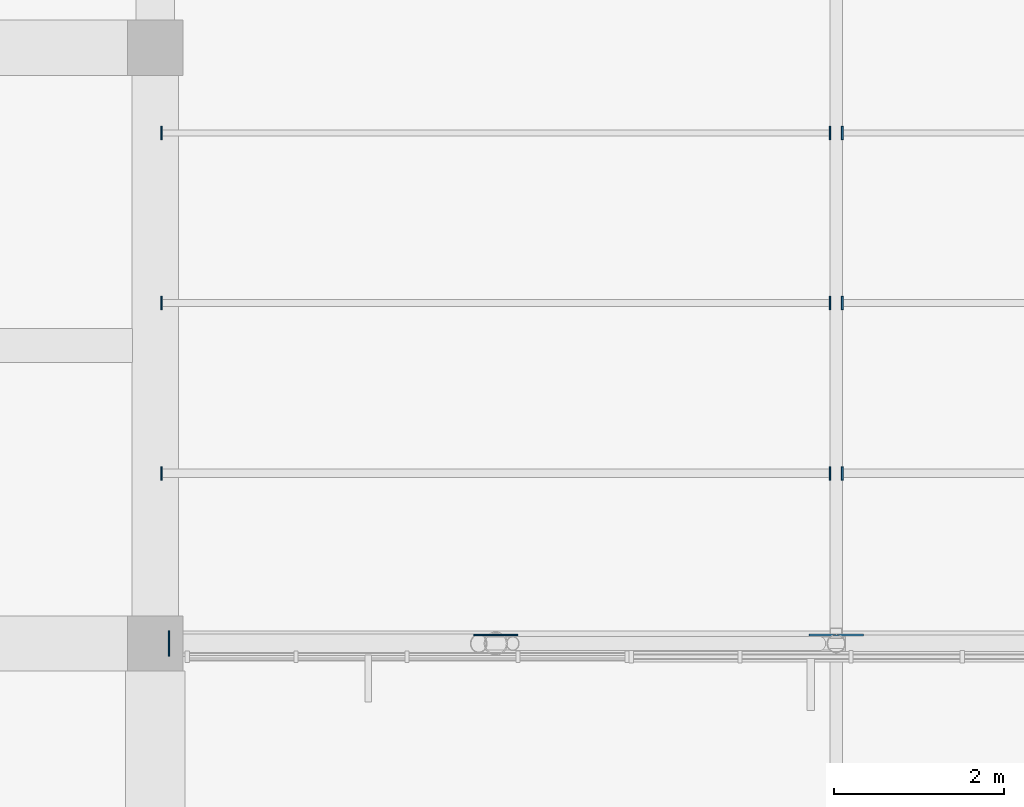
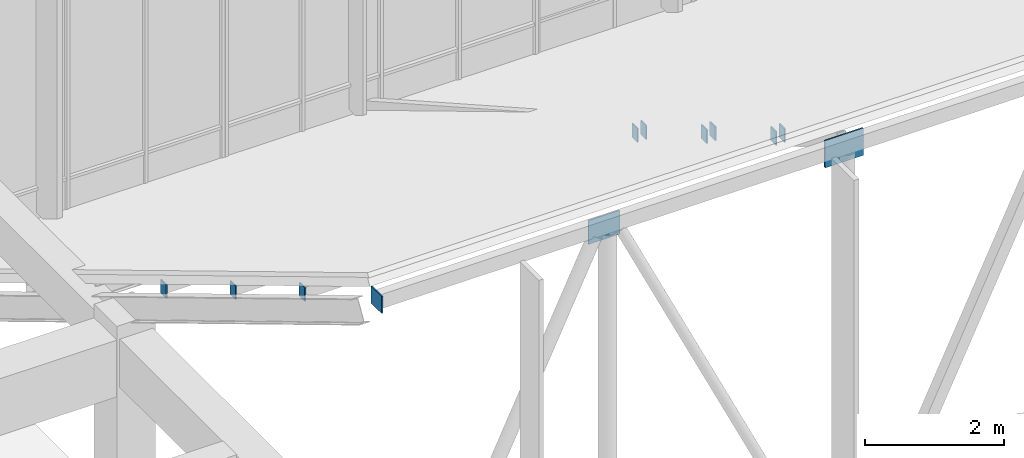
# One storey, part 93 of 155: 12 plates.
"""IFC4 building model written with IfcOpenShell, lengths in metres."""

from ifc_helpers import new_model, si_unit, direction, frame, origin, origin_2d, place, context, subcontext, project, spatial, rectangle, extrude, material, layer, layer_set, type_object, element, save


model = new_model("IFC4")

# Units and contexts
model_context = context("Model", 3, precision=1e-05, world=origin(), true_north=direction((0.0, 1.0)))
body_context = subcontext(model_context, "Body", "Model", "MODEL_VIEW")
ifc_project = project(units=[si_unit("LENGTHUNIT", "METRE"), si_unit("AREAUNIT", "SQUARE_METRE"), si_unit("VOLUMEUNIT", "CUBIC_METRE"), si_unit("PLANEANGLEUNIT", "RADIAN"), si_unit("MASSUNIT", "GRAM", prefix="KILO")], contexts=[model_context])

# Site, building, storey
site_placement = place(None, origin())
site = spatial("IfcSite", under=ifc_project, at=site_placement, CompositionType="ELEMENT")
building_placement = place(site_placement, origin())
building = spatial("IfcBuilding", under=site, at=building_placement, Name="Larkveld Mobility Hub", CompositionType="ELEMENT")
storey_placement = place(building_placement, frame((0.0, 0.0, 8.39990234375)))
storey = spatial("IfcBuildingStorey", under=building, at=storey_placement, Name="L02", CompositionType="ELEMENT", Elevation=8.39990234375)

# Plates
ifc_material = material(Name="Steel S355JR", Category="steel")
ifc_layer_1 = layer(ifc_material, 0.02001953125, Name="Steel S355JR", Category="steel")
ifc_layer_set_1 = layer_set([ifc_layer_1], Name="Steel S355JR")
plate_type_1 = type_object("IfcPlateType", Name="PT-EC01", PredefinedType="USERDEFINED", material=ifc_layer_set_1)
plate_1_placement = place(storey_placement, frame((152.159912109375, 84.0, 7.80029296875), z_axis=(0.0, 0.0, 1.0), x_axis=(1.0, 0.0, 0.0)))
element("IfcPlate", 1, at=plate_1_placement, inside=storey, type_object=plate_type_1, Name="Hollow Chord End Cap Plate EC-044", ObjectType="GUSSET PLATE", PredefinedType="USERDEFINED", context=body_context, shape_type="SweptSolid", body=[
    extrude(rectangle(XDim=0.02001953125, YDim=0.300048828125, at=origin_2d()), origin(), (0.0, 0.0, 1.0), 0.300048828125),
])
ifc_layer_2 = layer(ifc_material, 0.02001953125, Name="Steel S355JR", Category="steel")
ifc_layer_set_2 = layer_set([ifc_layer_2], Name="Steel S355JR")
plate_type_2 = type_object("IfcPlateType", Name="PT-EC02", PredefinedType="USERDEFINED", material=ifc_layer_set_2)
for number, where, z_axis, x_axis, name in (
    (2, (152.072021484375, 86.0, 6.787109375), (0.0, 0.0, 1.0), (1.0, 0.0, 0.0), "Hollow Purlin End Cap Plate PEC-176"),
    (3, (159.927978515625, 86.0, 6.787109375), (0.0, 0.0, 1.0), (1.0, 0.0, 0.0), "Hollow Purlin End Cap Plate PEC-177"),
    (4, (160.072021484375, 86.0, 6.787109375), (0.0, 0.0, 1.0), (1.0, 0.0, 0.0), "Hollow Purlin End Cap Plate PEC-178"),
    (5, (152.072021484375, 88.0, 5.60693359375), (0.0, 0.0, 1.0), (1.0, 0.0, 0.0), "Hollow Purlin End Cap Plate PEC-184"),
    (6, (159.927978515625, 88.0, 5.60693359375), (0.0, 0.0, 1.0), (1.0, 0.0, 0.0), "Hollow Purlin End Cap Plate PEC-185"),
    (7, (160.072021484375, 88.0, 5.60693359375), (0.0, 0.0, 1.0), (1.0, 0.0, 0.0), "Hollow Purlin End Cap Plate PEC-186"),
    (8, (152.072021484375, 90.0, 4.4169921875), (0.0, 0.0, 1.0), (1.0, 0.0, 0.0), "Hollow Purlin End Cap Plate PEC-192"),
    (9, (159.927978515625, 90.0, 4.4169921875), (0.0, 0.0, 1.0), (1.0, 0.0, 0.0), "Hollow Purlin End Cap Plate PEC-193"),
    (10, (160.072021484375, 90.0, 4.4169921875), (0.0, 0.0, 1.0), (1.0, 0.0, 0.0), "Hollow Purlin End Cap Plate PEC-194"),
):
    element("IfcPlate", number, at=place(storey_placement, frame(where, z_axis=z_axis, x_axis=x_axis)), inside=storey, type_object=plate_type_2, Name=name, ObjectType="GUSSET PLATE", PredefinedType="USERDEFINED", context=body_context, shape_type="SweptSolid", body=[
        extrude(rectangle(XDim=0.02001953125, YDim=0.159912109375, at=origin_2d()), origin(), (0.0, 0.0, 1.0), 0.239990234375),
    ])
ifc_layer_3 = layer(ifc_material, 0.02001953125, Name="Steel S355JR", Category="steel")
ifc_layer_set_3 = layer_set([ifc_layer_3], Name="Steel S355JR")
plate_type_3 = type_object("IfcPlateType", Name="PT-GS01", PredefinedType="USERDEFINED", material=ifc_layer_set_3)
plate_2_placement = place(storey_placement, frame((156.0, 84.10009765625, 7.615234375), z_axis=(0.0, 0.0, 1.0), x_axis=(1.0, 0.0, 0.0)))
element("IfcPlate", 11, at=plate_2_placement, inside=storey, type_object=plate_type_3, Name="Truss Node Gusset Plate TN-037", ObjectType="GUSSET PLATE", PredefinedType="USERDEFINED", context=body_context, shape_type="SweptSolid", body=[
    extrude(rectangle(XDim=0.52001953125, YDim=0.02001953125, at=origin_2d()), origin(), (0.0, 0.0, 1.0), 0.419921875),
])
ifc_layer_4 = layer(ifc_material, 0.02392578125, Name="Steel S355JR", Category="steel")
ifc_layer_set_4 = layer_set([ifc_layer_4], Name="Steel S355JR")
plate_type_4 = type_object("IfcPlateType", Name="PT-GS02", PredefinedType="USERDEFINED", material=ifc_layer_set_4)
plate_3_placement = place(storey_placement, frame((160.0, 84.10009765625, 7.585205078125), z_axis=(0.0, 0.0, 1.0), x_axis=(1.0, 0.0, 0.0)))
element("IfcPlate", 12, at=plate_3_placement, inside=storey, type_object=plate_type_4, Name="Truss Node Gusset Plate TN-038", ObjectType="GUSSET PLATE", PredefinedType="USERDEFINED", context=body_context, shape_type="SweptSolid", body=[
    extrude(rectangle(XDim=0.639892578125, YDim=0.02392578125, at=origin_2d()), origin(), (0.0, 0.0, 1.0), 0.47998046875),
])

save(model, "model.ifc")
